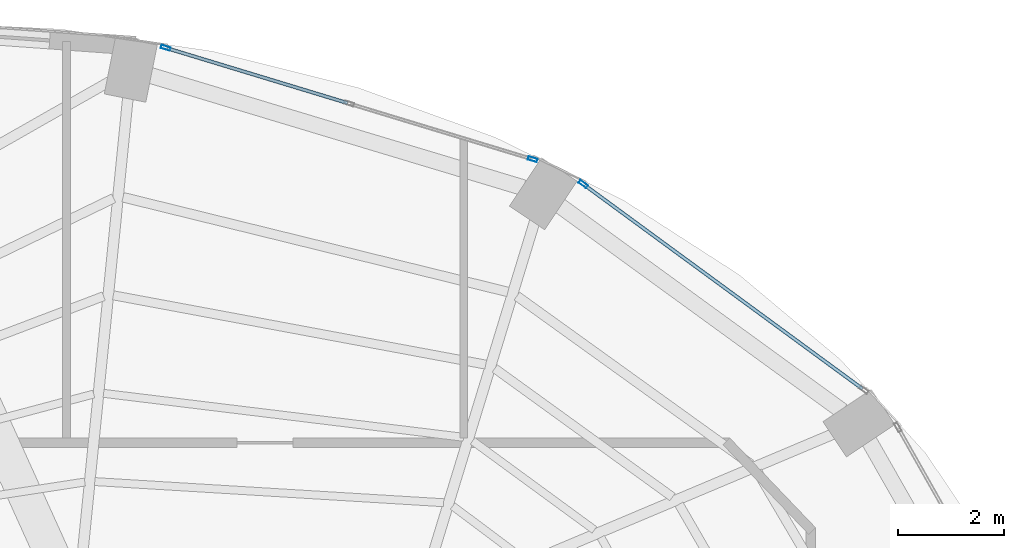
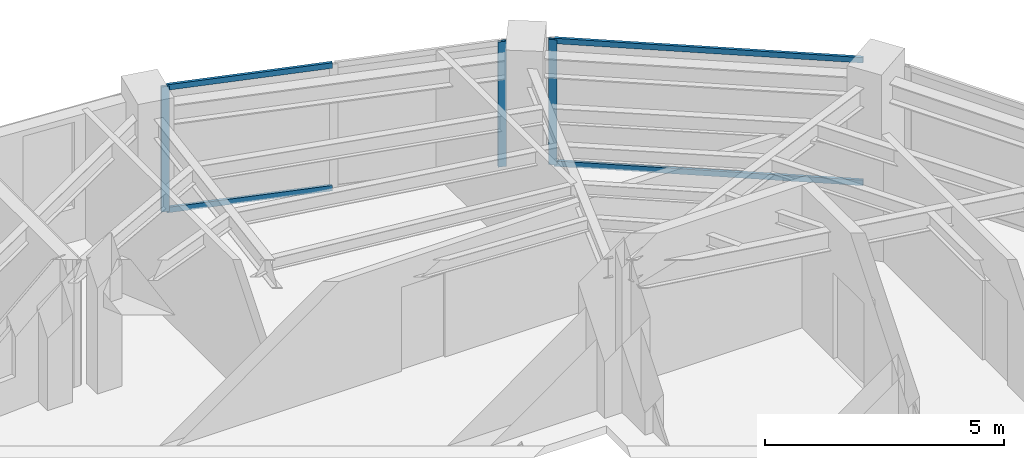
# One storey, part 17 of 22: 7 members, 2 elements without a shape of their own.
"""IFC4 building model written with IfcOpenShell, lengths in metres."""

from ifc_helpers import new_model, si_unit, direction, frame, origin, origin_2d, place, context, subcontext, project, spatial, hollow_rectangle, extrude, material, layer, layer_set, material_profile, profile_set, type_object, element, aggregate, save


model = new_model("IFC4")

# Units and contexts
model_context = context("Model", 3, precision=1e-05, world=origin(), true_north=direction((0.0, 1.0)))
body_context = subcontext(model_context, "Body", "Model", "MODEL_VIEW")
ifc_project = project(units=[si_unit("LENGTHUNIT", "METRE"), si_unit("AREAUNIT", "SQUARE_METRE"), si_unit("VOLUMEUNIT", "CUBIC_METRE"), si_unit("PLANEANGLEUNIT", "RADIAN"), si_unit("MASSUNIT", "GRAM", prefix="KILO")], contexts=[model_context])

# Site, building, storey
site_placement = place(None, origin())
site = spatial("IfcSite", under=ifc_project, at=site_placement, CompositionType="ELEMENT")
building_placement = place(site_placement, origin())
building = spatial("IfcBuilding", under=site, at=building_placement, Name="Lazwardi Medical Tower", CompositionType="ELEMENT")
storey_placement = place(building_placement, frame((0.0, 0.0, 242.256103515625)))
storey = spatial("IfcBuildingStorey", under=building, at=storey_placement, Name="L63", CompositionType="ELEMENT", Elevation=242.256103515625)

# Curtain wall, member
ifc_material_1 = material(Name="Anodised bronze aluminium and solar control glazing", Category="aluminium")
ifc_layer = layer(ifc_material_1, 0.18994140625)
ifc_layer_set = layer_set([ifc_layer], Name="Anodised bronze aluminium and solar control glazing")
curtain_wall_type = type_object("IfcCurtainWallType", Name="CW-SYS-04", PredefinedType="NOTDEFINED", material=ifc_layer_set)
curtain_wall_1_placement = place(storey_placement, origin())
curtain_wall_1 = element("IfcCurtainWall", 1, at=curtain_wall_1_placement, inside=storey, type_object=curtain_wall_type, Name="L63 Unitised bronze curtain wall CW-04", PredefinedType="NOTDEFINED")
ifc_material_2 = material(Name="Anodised bronze aluminium", Category="aluminium")
ifc_material_profile_1 = material_profile(ifc_material_2, hollow_rectangle(XDim=0.06494140625, YDim=0.179931640625, WallThickness=0.00390625, at=origin_2d()), Name="ALU-MULLION 180x65x4")
ifc_profile_set_1 = profile_set([ifc_material_profile_1], Name="Anodised bronze aluminium")
member_type_1 = type_object("IfcMemberType", Name="CW-MUL-03", PredefinedType="MULLION", material=ifc_profile_set_1)
member_1_placement = place(storey_placement, frame((48.75537109375, 43.634765625, 0.0), z_axis=(0.0, 0.0, 1.0), x_axis=(-0.591268230971, -0.806474971121, 0.0)))
member_1 = element("IfcMember", 2, at=member_1_placement, type_object=member_type_1, Name="CW-04 mullion 2", PredefinedType="MULLION", context=body_context, shape_type="SweptSolid", body=[
    extrude(hollow_rectangle(XDim=0.06494140625, YDim=0.179931640625, WallThickness=0.00390625, at=origin_2d()), origin(), (0.0, 0.0, 1.0), 3.197998046875),
])

# Curtain wall, members
curtain_wall_2_placement = place(storey_placement, origin())
curtain_wall_2 = element("IfcCurtainWall", 3, at=curtain_wall_2_placement, inside=storey, type_object=curtain_wall_type, Name="L63 Unitised bronze curtain wall CW-04", PredefinedType="NOTDEFINED")
member_2_placement = place(storey_placement, frame((47.7998046875, 44.103515625, 0.0), z_axis=(0.0, 0.0, 1.0), x_axis=(-0.290581889515, -0.956850126972, 0.0)))
member_2 = element("IfcMember", 4, at=member_2_placement, type_object=member_type_1, Name="CW-04 mullion 1", PredefinedType="MULLION", context=body_context, shape_type="SweptSolid", body=[
    extrude(hollow_rectangle(XDim=0.06494140625, YDim=0.179931640625, WallThickness=0.00390625, at=origin_2d()), origin(), (0.0, 0.0, 1.0), 3.197998046875),
])
member_3_placement = place(storey_placement, frame((40.873046875, 46.20703125, 0.0), z_axis=(0.0, 0.0, 1.0), x_axis=(-0.290581889515, -0.956850126972, 0.0)))
member_3 = element("IfcMember", 5, at=member_3_placement, type_object=member_type_1, Name="CW-04 mullion 3", PredefinedType="MULLION", context=body_context, shape_type="SweptSolid", body=[
    extrude(hollow_rectangle(XDim=0.06494140625, YDim=0.179931640625, WallThickness=0.00390625, at=origin_2d()), origin(), (0.0, 0.0, 1.0), 3.197998046875),
])

# Member
ifc_material_profile_2 = material_profile(ifc_material_2, hollow_rectangle(XDim=0.06494140625, YDim=0.139892578125, WallThickness=0.00341796875, at=origin_2d()), Name="ALU-TRANSOM 140x65x3.5")
ifc_profile_set_2 = profile_set([ifc_material_profile_2], Name="Anodised bronze aluminium")
member_type_2 = type_object("IfcMemberType", Name="CW-TRN-03", PredefinedType="USERDEFINED", material=ifc_profile_set_2)
member_4_placement = place(storey_placement, frame((54.02587890625, 39.770751953125, 0.032470703125), z_axis=(-0.806471831148, 0.591272513791, 0.0), x_axis=(-0.591272513791, -0.806471831148, 0.0)))
member_4 = element("IfcMember", 6, at=member_4_placement, type_object=member_type_2, Name="CW-04 transom 1.1", ObjectType="TRANSOM", PredefinedType="USERDEFINED", context=body_context, shape_type="SweptSolid", body=[
    extrude(hollow_rectangle(XDim=0.06494140625, YDim=0.139892578125, WallThickness=0.00341796875, at=origin_2d()), origin(), (0.0, 0.0, 1.0), 6.5029296875),
])

member_5_placement = place(storey_placement, frame((54.02587890625, 39.770751953125, 3.165283203125), z_axis=(-0.806471831148, 0.591272513791, 0.0), x_axis=(-0.591272513791, -0.806471831148, 0.0)))
member_5 = element("IfcMember", 7, at=member_5_placement, type_object=member_type_2, Name="CW-04 transom 1.2", ObjectType="TRANSOM", PredefinedType="USERDEFINED", context=body_context, shape_type="SweptSolid", body=[
    extrude(hollow_rectangle(XDim=0.06494140625, YDim=0.139892578125, WallThickness=0.00341796875, at=origin_2d()), origin(), (0.0, 0.0, 1.0), 6.5029296875),
])

aggregate(curtain_wall_1, [member_1, member_4, member_5])

member_6_placement = place(storey_placement, frame((44.305419921875, 45.164794921875, 0.032470703125), z_axis=(-0.956862505902, 0.290541124109, 0.0), x_axis=(-0.290541124109, -0.956862505902, 0.0)))
member_6 = element("IfcMember", 8, at=member_6_placement, type_object=member_type_2, Name="CW-04 transom 2.1", ObjectType="TRANSOM", PredefinedType="USERDEFINED", context=body_context, shape_type="SweptSolid", body=[
    extrude(hollow_rectangle(XDim=0.06494140625, YDim=0.139892578125, WallThickness=0.00341796875, at=origin_2d()), origin(), (0.0, 0.0, 1.0), 3.554443359375),
])

member_7_placement = place(storey_placement, frame((44.305419921875, 45.164794921875, 3.165283203125), z_axis=(-0.956862505902, 0.290541124109, 0.0), x_axis=(-0.290541124109, -0.956862505902, 0.0)))
member_7 = element("IfcMember", 9, at=member_7_placement, type_object=member_type_2, Name="CW-04 transom 2.2", ObjectType="TRANSOM", PredefinedType="USERDEFINED", context=body_context, shape_type="SweptSolid", body=[
    extrude(hollow_rectangle(XDim=0.06494140625, YDim=0.139892578125, WallThickness=0.00341796875, at=origin_2d()), origin(), (0.0, 0.0, 1.0), 3.554443359375),
])

aggregate(curtain_wall_2, [member_2, member_3, member_6, member_7])

save(model, "model.ifc")
